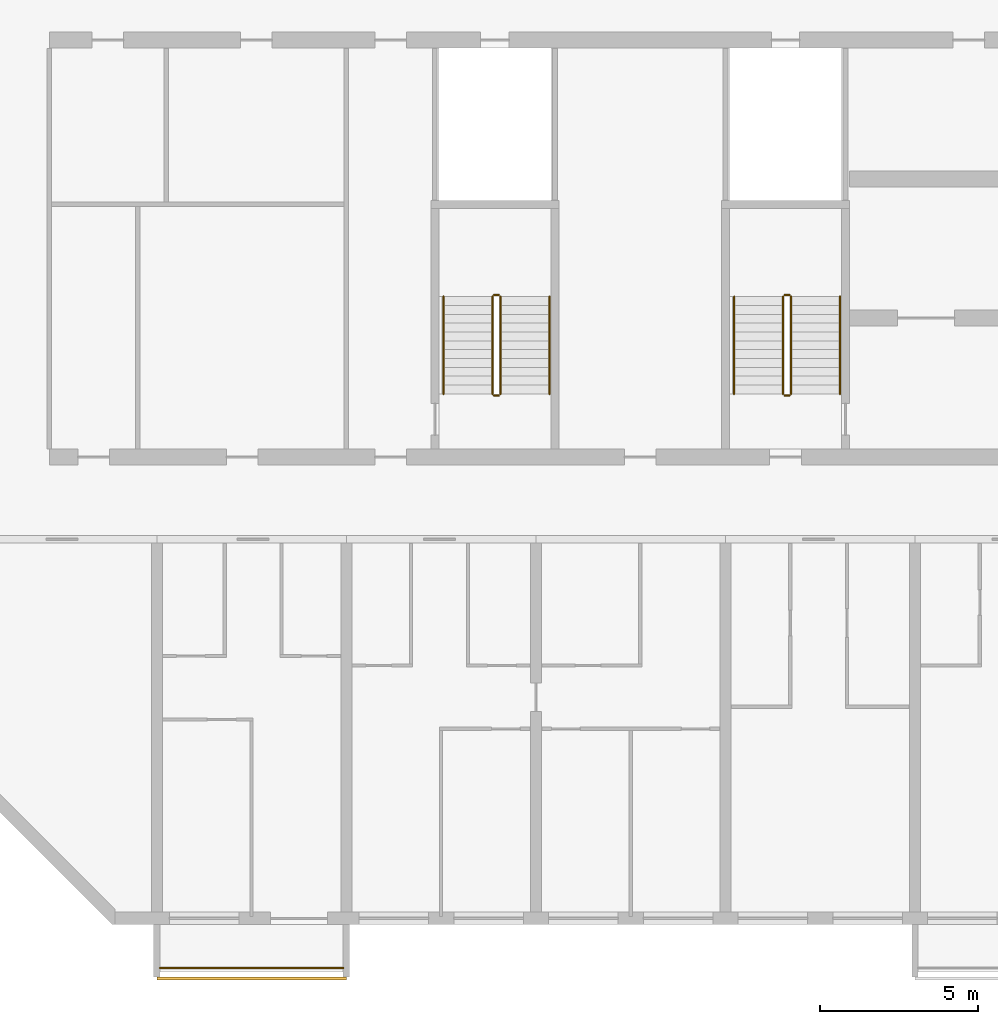
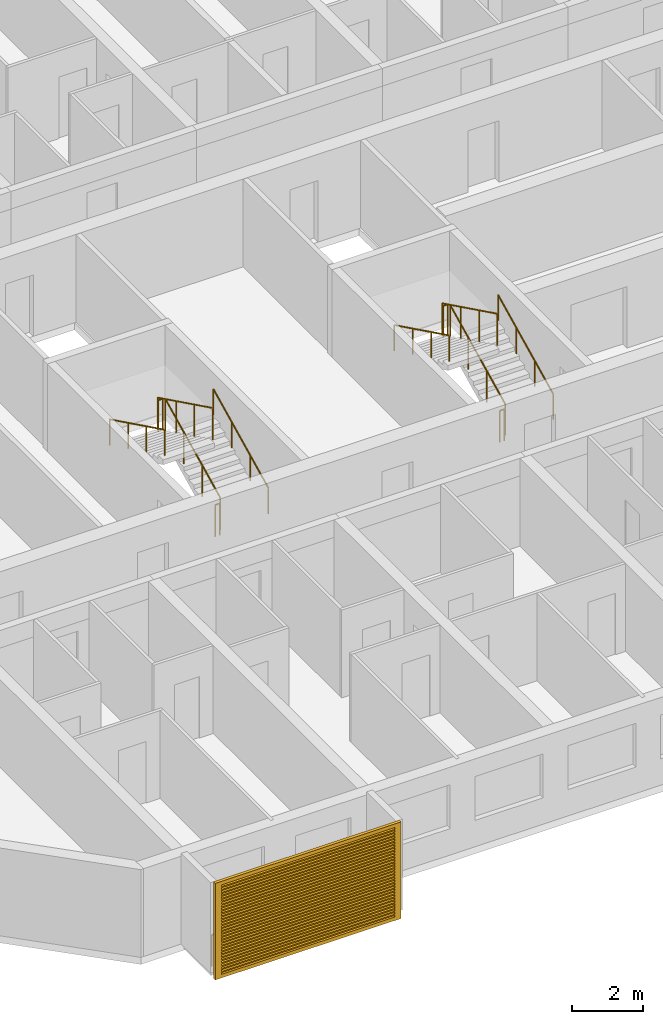
# One storey, part 16 of 24: 13 railings, 1 shading device.
"""IFC4 building model written with IfcOpenShell, lengths in metres."""

from ifc_helpers import new_model, si_unit, direction, frame, origin, origin_2d, place, context, subcontext, project, spatial, polyline, circle, outline, extrude, source, transform, mapped, material, material_profile, profile_set, type_object, element, save


model = new_model("IFC4")

# Units and contexts
model_context = context("Model", 3, precision=1e-05, world=origin(), true_north=direction((0.0, 1.0)))
body_context = subcontext(model_context, "Body", "Model", "MODEL_VIEW")
ifc_project = project(units=[si_unit("LENGTHUNIT", "METRE"), si_unit("AREAUNIT", "SQUARE_METRE"), si_unit("VOLUMEUNIT", "CUBIC_METRE"), si_unit("PLANEANGLEUNIT", "RADIAN"), si_unit("MASSUNIT", "GRAM", prefix="KILO")], contexts=[model_context])

# Site, building, storey
site_placement = place(None, origin())
site = spatial("IfcSite", under=ifc_project, at=site_placement, CompositionType="ELEMENT")
building_placement = place(site_placement, origin())
building = spatial("IfcBuilding", under=site, at=building_placement, Name="Poui Terraces", CompositionType="ELEMENT")
storey_placement = place(building_placement, frame((0.0, 0.0, 102.60009765625)))
storey = spatial("IfcBuildingStorey", under=building, at=storey_placement, Name="L28", CompositionType="ELEMENT", Elevation=102.60009765625)

# Railings
ifc_material_1 = material(Name="Painted steel fretwork", Category="steel")
railing_type_1 = type_object("IfcRailingType", Name="BALCONY GUARD 1100", PredefinedType="GUARDRAIL", material=ifc_material_1)
railing_1_placement = place(storey_placement, frame((12.10009765625, -1.570068359375, 0.0)))
element("IfcRailing", 1, at=railing_1_placement, inside=storey, type_object=railing_type_1, Name="BALCONY GUARD", PredefinedType="GUARDRAIL", context=body_context, shape_type="SweptSolid", body=[
    extrude(circle(Radius=0.02392578125, at=origin_2d()), frame((0.0, 0.0, 1.076171875), z_axis=(1.0, 0.0, 0.0), x_axis=(0.0, 1.0, 0.0)), (0.0, 0.0, 1.0), 5.7998046875),
    extrude(circle(Radius=0.02099609375, at=origin_2d()), origin(), (0.0, 0.0, 1.0), 1.052001953125),
    extrude(circle(Radius=0.02099609375, at=origin_2d()), frame((0.966552734375, 0.0, 0.0)), (0.0, 0.0, 1.0), 1.052001953125),
    extrude(circle(Radius=0.02099609375, at=origin_2d()), frame((1.933349609375, 0.0, 0.0)), (0.0, 0.0, 1.0), 1.052001953125),
    extrude(circle(Radius=0.02099609375, at=origin_2d()), frame((2.89990234375, 0.0, 0.0)), (0.0, 0.0, 1.0), 1.052001953125),
    extrude(circle(Radius=0.02099609375, at=origin_2d()), frame((3.866455078125, 0.0, 0.0)), (0.0, 0.0, 1.0), 1.052001953125),
    extrude(circle(Radius=0.02099609375, at=origin_2d()), frame((4.833251953125, 0.0, 0.0)), (0.0, 0.0, 1.0), 1.052001953125),
    extrude(circle(Radius=0.02099609375, at=origin_2d()), frame((5.7998046875, 0.0, 0.0)), (0.0, 0.0, 1.0), 1.052001953125),
])
ifc_material_2 = material(Name="Galvanised steel balustrade", Category="steel")
railing_type_2 = type_object("IfcRailingType", Name="STAIR GUARD 1100", PredefinedType="GUARDRAIL", material=ifc_material_2)
railing_2_placement = place(storey_placement, frame((32.074951171875, 16.60009765625, 0.137451171875)))
element("IfcRailing", 2, at=railing_2_placement, inside=storey, type_object=railing_type_2, Name="L28 ST-CW stair guard 1", PredefinedType="GUARDRAIL", context=body_context, shape_type="SweptSolid", body=[
    extrude(circle(Radius=0.02392578125, at=origin_2d()), frame((0.0, 0.0, 1.076171875), z_axis=(0.0, 0.897606190399, 0.440798283751), x_axis=(-1.0, 0.0, 0.0)), (0.0, 0.0, 1.0), 3.43115234375),
    extrude(circle(Radius=0.02099609375, at=origin_2d()), origin(), (0.0, 0.0, 1.0), 1.052001953125),
    extrude(circle(Radius=0.02099609375, at=origin_2d()), frame((0.0, 1.026611328125, 0.504150390625)), (0.0, 0.0, 1.0), 1.052001953125),
    extrude(circle(Radius=0.02099609375, at=origin_2d()), frame((0.0, 2.05322265625, 1.00830078125)), (0.0, 0.0, 1.0), 1.052001953125),
    extrude(circle(Radius=0.02099609375, at=origin_2d()), frame((0.0, 3.079833984375, 1.512451171875)), (0.0, 0.0, 1.0), 1.052001953125),
])
railing_3_placement = place(storey_placement, frame((32.02490234375, 19.72998046875, 1.64990234375)))
element("IfcRailing", 3, at=railing_3_placement, inside=storey, type_object=railing_type_2, Name="L28 ST-CW stair guard 2", PredefinedType="GUARDRAIL", context=body_context, shape_type="SweptSolid", body=[
    extrude(circle(Radius=0.02392578125, at=origin_2d()), frame((0.0, 0.0, 1.076171875), z_axis=(-1.0, 0.0, 0.0), x_axis=(0.0, -1.0, 0.0)), (0.0, 0.0, 1.0), 0.14990234375),
    extrude(circle(Radius=0.02099609375, at=origin_2d()), origin(), (0.0, 0.0, 1.0), 1.052001953125),
    extrude(circle(Radius=0.02099609375, at=origin_2d()), frame((-0.14990234375, 0.0, 0.0)), (0.0, 0.0, 1.0), 1.052001953125),
])
railing_4_placement = place(storey_placement, frame((31.824951171875, 19.679931640625, 1.787353515625)))
element("IfcRailing", 4, at=railing_4_placement, inside=storey, type_object=railing_type_2, Name="L28 ST-CW stair guard 3", PredefinedType="GUARDRAIL", context=body_context, shape_type="SweptSolid", body=[
    extrude(circle(Radius=0.02392578125, at=origin_2d()), frame((0.0, 0.0, 1.076171875), z_axis=(0.0, -0.897606190399, 0.440798283751), x_axis=(1.0, 0.0, 0.0)), (0.0, 0.0, 1.0), 3.43115234375),
    extrude(circle(Radius=0.02099609375, at=origin_2d()), origin(), (0.0, 0.0, 1.0), 1.052001953125),
    extrude(circle(Radius=0.02099609375, at=origin_2d()), frame((0.0, -1.026611328125, 0.504150390625)), (0.0, 0.0, 1.0), 1.052001953125),
    extrude(circle(Radius=0.02099609375, at=origin_2d()), frame((0.0, -2.05322265625, 1.00830078125)), (0.0, 0.0, 1.0), 1.052001953125),
    extrude(circle(Radius=0.02099609375, at=origin_2d()), frame((0.0, -3.079833984375, 1.512451171875)), (0.0, 0.0, 1.0), 1.052001953125),
])
railing_5_placement = place(storey_placement, frame((32.02490234375, 16.550048828125, 0.0)))
element("IfcRailing", 5, at=railing_5_placement, inside=storey, type_object=railing_type_2, Name="L28 ST-CW stair guard 4", PredefinedType="GUARDRAIL", context=body_context, shape_type="SweptSolid", body=[
    extrude(circle(Radius=0.02392578125, at=origin_2d()), frame((0.0, 0.0, 1.076171875), z_axis=(-1.0, 0.0, 0.0), x_axis=(0.0, -1.0, 0.0)), (0.0, 0.0, 1.0), 0.14990234375),
    extrude(circle(Radius=0.02099609375, at=origin_2d()), origin(), (0.0, 0.0, 1.0), 1.052001953125),
    extrude(circle(Radius=0.02099609375, at=origin_2d()), frame((-0.14990234375, 0.0, 0.0)), (0.0, 0.0, 1.0), 1.052001953125),
])
railing_6_placement = place(storey_placement, frame((22.875, 16.60009765625, 0.137451171875)))
element("IfcRailing", 6, at=railing_6_placement, inside=storey, type_object=railing_type_2, Name="L28 ST-W stair guard 1", PredefinedType="GUARDRAIL", context=body_context, shape_type="SweptSolid", body=[
    extrude(circle(Radius=0.02392578125, at=origin_2d()), frame((0.0, 0.0, 1.076171875), z_axis=(0.0, 0.897606190399, 0.440798283751), x_axis=(-1.0, 0.0, 0.0)), (0.0, 0.0, 1.0), 3.43115234375),
    extrude(circle(Radius=0.02099609375, at=origin_2d()), origin(), (0.0, 0.0, 1.0), 1.052001953125),
    extrude(circle(Radius=0.02099609375, at=origin_2d()), frame((0.0, 1.026611328125, 0.504150390625)), (0.0, 0.0, 1.0), 1.052001953125),
    extrude(circle(Radius=0.02099609375, at=origin_2d()), frame((0.0, 2.05322265625, 1.00830078125)), (0.0, 0.0, 1.0), 1.052001953125),
    extrude(circle(Radius=0.02099609375, at=origin_2d()), frame((0.0, 3.079833984375, 1.512451171875)), (0.0, 0.0, 1.0), 1.052001953125),
])
railing_7_placement = place(storey_placement, frame((22.824951171875, 19.72998046875, 1.64990234375)))
element("IfcRailing", 7, at=railing_7_placement, inside=storey, type_object=railing_type_2, Name="L28 ST-W stair guard 2", PredefinedType="GUARDRAIL", context=body_context, shape_type="SweptSolid", body=[
    extrude(circle(Radius=0.02392578125, at=origin_2d()), frame((0.0, 0.0, 1.076171875), z_axis=(-1.0, 0.0, 0.0), x_axis=(0.0, -1.0, 0.0)), (0.0, 0.0, 1.0), 0.14990234375),
    extrude(circle(Radius=0.02099609375, at=origin_2d()), origin(), (0.0, 0.0, 1.0), 1.052001953125),
    extrude(circle(Radius=0.02099609375, at=origin_2d()), frame((-0.14990234375, 0.0, 0.0)), (0.0, 0.0, 1.0), 1.052001953125),
])
railing_8_placement = place(storey_placement, frame((22.625, 19.679931640625, 1.787353515625)))
element("IfcRailing", 8, at=railing_8_placement, inside=storey, type_object=railing_type_2, Name="L28 ST-W stair guard 3", PredefinedType="GUARDRAIL", context=body_context, shape_type="SweptSolid", body=[
    extrude(circle(Radius=0.02392578125, at=origin_2d()), frame((0.0, 0.0, 1.076171875), z_axis=(0.0, -0.897606190399, 0.440798283751), x_axis=(1.0, 0.0, 0.0)), (0.0, 0.0, 1.0), 3.43115234375),
    extrude(circle(Radius=0.02099609375, at=origin_2d()), origin(), (0.0, 0.0, 1.0), 1.052001953125),
    extrude(circle(Radius=0.02099609375, at=origin_2d()), frame((0.0, -1.026611328125, 0.504150390625)), (0.0, 0.0, 1.0), 1.052001953125),
    extrude(circle(Radius=0.02099609375, at=origin_2d()), frame((0.0, -2.05322265625, 1.00830078125)), (0.0, 0.0, 1.0), 1.052001953125),
    extrude(circle(Radius=0.02099609375, at=origin_2d()), frame((0.0, -3.079833984375, 1.512451171875)), (0.0, 0.0, 1.0), 1.052001953125),
])
railing_9_placement = place(storey_placement, frame((22.824951171875, 16.550048828125, 0.0)))
element("IfcRailing", 9, at=railing_9_placement, inside=storey, type_object=railing_type_2, Name="L28 ST-W stair guard 4", PredefinedType="GUARDRAIL", context=body_context, shape_type="SweptSolid", body=[
    extrude(circle(Radius=0.02392578125, at=origin_2d()), frame((0.0, 0.0, 1.076171875), z_axis=(-1.0, 0.0, 0.0), x_axis=(0.0, -1.0, 0.0)), (0.0, 0.0, 1.0), 0.14990234375),
    extrude(circle(Radius=0.02099609375, at=origin_2d()), origin(), (0.0, 0.0, 1.0), 1.052001953125),
    extrude(circle(Radius=0.02099609375, at=origin_2d()), frame((-0.14990234375, 0.0, 0.0)), (0.0, 0.0, 1.0), 1.052001953125),
])
ifc_material_3 = material(Name="Stainless steel handrail", Category="steel")
railing_type_3 = type_object("IfcRailingType", Name="STAIR HANDRAIL 900", PredefinedType="HANDRAIL", material=ifc_material_3)
railing_10_placement = place(storey_placement, frame((33.625, 16.60009765625, 0.137451171875)))
element("IfcRailing", 10, at=railing_10_placement, inside=storey, type_object=railing_type_3, Name="L28 ST-CW stair handrail 1", PredefinedType="HANDRAIL", context=body_context, shape_type="SweptSolid", body=[
    extrude(circle(Radius=0.02392578125, at=origin_2d()), frame((0.0, 0.0, 0.8759765625), z_axis=(0.0, 0.897606190399, 0.440798283751), x_axis=(-1.0, 0.0, 0.0)), (0.0, 0.0, 1.0), 3.43115234375),
    extrude(circle(Radius=0.02099609375, at=origin_2d()), origin(), (0.0, 0.0, 1.0), 0.851806640625),
    extrude(circle(Radius=0.02099609375, at=origin_2d()), frame((0.0, 1.026611328125, 0.504150390625)), (0.0, 0.0, 1.0), 0.851806640625),
    extrude(circle(Radius=0.02099609375, at=origin_2d()), frame((0.0, 2.05322265625, 1.00830078125)), (0.0, 0.0, 1.0), 0.851806640625),
    extrude(circle(Radius=0.02099609375, at=origin_2d()), frame((0.0, 3.079833984375, 1.512451171875)), (0.0, 0.0, 1.0), 0.851806640625),
])
railing_11_placement = place(storey_placement, frame((30.27490234375, 19.679931640625, 1.787353515625)))
element("IfcRailing", 11, at=railing_11_placement, inside=storey, type_object=railing_type_3, Name="L28 ST-CW stair handrail 2", PredefinedType="HANDRAIL", context=body_context, shape_type="SweptSolid", body=[
    extrude(circle(Radius=0.02392578125, at=origin_2d()), frame((0.0, 0.0, 0.8759765625), z_axis=(0.0, -0.897606190399, 0.440798283751), x_axis=(1.0, 0.0, 0.0)), (0.0, 0.0, 1.0), 3.43115234375),
    extrude(circle(Radius=0.02099609375, at=origin_2d()), origin(), (0.0, 0.0, 1.0), 0.851806640625),
    extrude(circle(Radius=0.02099609375, at=origin_2d()), frame((0.0, -1.026611328125, 0.504150390625)), (0.0, 0.0, 1.0), 0.851806640625),
    extrude(circle(Radius=0.02099609375, at=origin_2d()), frame((0.0, -2.05322265625, 1.00830078125)), (0.0, 0.0, 1.0), 0.851806640625),
    extrude(circle(Radius=0.02099609375, at=origin_2d()), frame((0.0, -3.079833984375, 1.512451171875)), (0.0, 0.0, 1.0), 0.851806640625),
])
railing_12_placement = place(storey_placement, frame((24.425048828125, 16.60009765625, 0.137451171875)))
element("IfcRailing", 12, at=railing_12_placement, inside=storey, type_object=railing_type_3, Name="L28 ST-W stair handrail 1", PredefinedType="HANDRAIL", context=body_context, shape_type="SweptSolid", body=[
    extrude(circle(Radius=0.02392578125, at=origin_2d()), frame((0.0, 0.0, 0.8759765625), z_axis=(0.0, 0.897606190399, 0.440798283751), x_axis=(-1.0, 0.0, 0.0)), (0.0, 0.0, 1.0), 3.43115234375),
    extrude(circle(Radius=0.02099609375, at=origin_2d()), origin(), (0.0, 0.0, 1.0), 0.851806640625),
    extrude(circle(Radius=0.02099609375, at=origin_2d()), frame((0.0, 1.026611328125, 0.504150390625)), (0.0, 0.0, 1.0), 0.851806640625),
    extrude(circle(Radius=0.02099609375, at=origin_2d()), frame((0.0, 2.05322265625, 1.00830078125)), (0.0, 0.0, 1.0), 0.851806640625),
    extrude(circle(Radius=0.02099609375, at=origin_2d()), frame((0.0, 3.079833984375, 1.512451171875)), (0.0, 0.0, 1.0), 0.851806640625),
])
railing_13_placement = place(storey_placement, frame((21.074951171875, 19.679931640625, 1.787353515625)))
element("IfcRailing", 13, at=railing_13_placement, inside=storey, type_object=railing_type_3, Name="L28 ST-W stair handrail 2", PredefinedType="HANDRAIL", context=body_context, shape_type="SweptSolid", body=[
    extrude(circle(Radius=0.02392578125, at=origin_2d()), frame((0.0, 0.0, 0.8759765625), z_axis=(0.0, -0.897606190399, 0.440798283751), x_axis=(1.0, 0.0, 0.0)), (0.0, 0.0, 1.0), 3.43115234375),
    extrude(circle(Radius=0.02099609375, at=origin_2d()), origin(), (0.0, 0.0, 1.0), 0.851806640625),
    extrude(circle(Radius=0.02099609375, at=origin_2d()), frame((0.0, -1.026611328125, 0.504150390625)), (0.0, 0.0, 1.0), 0.851806640625),
    extrude(circle(Radius=0.02099609375, at=origin_2d()), frame((0.0, -2.05322265625, 1.00830078125)), (0.0, 0.0, 1.0), 0.851806640625),
    extrude(circle(Radius=0.02099609375, at=origin_2d()), frame((0.0, -3.079833984375, 1.512451171875)), (0.0, 0.0, 1.0), 0.851806640625),
])

# Shading device
ifc_material_4 = material(Name="Aluminium louvre", Category="aluminium")
ifc_material_profile = material_profile(ifc_material_4, outline(polyline([(-3.0, -1.64990234375), (3.0, -1.64990234375), (3.0, 1.64990234375), (-3.0, 1.64990234375), (-3.0, -1.64990234375)]), holes=[polyline([(-2.800048828125, -1.530029296875), (2.800048828125, -1.530029296875), (2.800048828125, -1.469970703125), (-2.800048828125, -1.469970703125), (-2.800048828125, -1.530029296875)]), polyline([(-2.800048828125, -1.429931640625), (2.800048828125, -1.429931640625), (2.800048828125, -1.3701171875), (-2.800048828125, -1.3701171875), (-2.800048828125, -1.429931640625)]), polyline([(-2.800048828125, -1.330078125), (2.800048828125, -1.330078125), (2.800048828125, -1.27001953125), (-2.800048828125, -1.27001953125), (-2.800048828125, -1.330078125)]), polyline([(-2.800048828125, -1.22998046875), (2.800048828125, -1.22998046875), (2.800048828125, -1.169921875), (-2.800048828125, -1.169921875), (-2.800048828125, -1.22998046875)]), polyline([(-2.800048828125, -1.1298828125), (2.800048828125, -1.1298828125), (2.800048828125, -1.070068359375), (-2.800048828125, -1.070068359375), (-2.800048828125, -1.1298828125)]), polyline([(-2.800048828125, -1.030029296875), (2.800048828125, -1.030029296875), (2.800048828125, -0.969970703125), (-2.800048828125, -0.969970703125), (-2.800048828125, -1.030029296875)]), polyline([(-2.800048828125, -0.929931640625), (2.800048828125, -0.929931640625), (2.800048828125, -0.8701171875), (-2.800048828125, -0.8701171875), (-2.800048828125, -0.929931640625)]), polyline([(-2.800048828125, -0.830078125), (2.800048828125, -0.830078125), (2.800048828125, -0.77001953125), (-2.800048828125, -0.77001953125), (-2.800048828125, -0.830078125)]), polyline([(-2.800048828125, -0.72998046875), (2.800048828125, -0.72998046875), (2.800048828125, -0.669921875), (-2.800048828125, -0.669921875), (-2.800048828125, -0.72998046875)]), polyline([(-2.800048828125, -0.6298828125), (2.800048828125, -0.6298828125), (2.800048828125, -0.570068359375), (-2.800048828125, -0.570068359375), (-2.800048828125, -0.6298828125)]), polyline([(-2.800048828125, -0.530029296875), (2.800048828125, -0.530029296875), (2.800048828125, -0.469970703125), (-2.800048828125, -0.469970703125), (-2.800048828125, -0.530029296875)]), polyline([(-2.800048828125, -0.429931640625), (2.800048828125, -0.429931640625), (2.800048828125, -0.3701171875), (-2.800048828125, -0.3701171875), (-2.800048828125, -0.429931640625)]), polyline([(-2.800048828125, -0.330078125), (2.800048828125, -0.330078125), (2.800048828125, -0.27001953125), (-2.800048828125, -0.27001953125), (-2.800048828125, -0.330078125)]), polyline([(-2.800048828125, -0.22998046875), (2.800048828125, -0.22998046875), (2.800048828125, -0.169921875), (-2.800048828125, -0.169921875), (-2.800048828125, -0.22998046875)]), polyline([(-2.800048828125, -0.1298828125), (2.800048828125, -0.1298828125), (2.800048828125, -0.070068359375), (-2.800048828125, -0.070068359375), (-2.800048828125, -0.1298828125)]), polyline([(-2.800048828125, -0.030029296875), (2.800048828125, -0.030029296875), (2.800048828125, 0.030029296875), (-2.800048828125, 0.030029296875), (-2.800048828125, -0.030029296875)]), polyline([(-2.800048828125, 0.070068359375), (2.800048828125, 0.070068359375), (2.800048828125, 0.1298828125), (-2.800048828125, 0.1298828125), (-2.800048828125, 0.070068359375)]), polyline([(-2.800048828125, 0.169921875), (2.800048828125, 0.169921875), (2.800048828125, 0.22998046875), (-2.800048828125, 0.22998046875), (-2.800048828125, 0.169921875)]), polyline([(-2.800048828125, 0.27001953125), (2.800048828125, 0.27001953125), (2.800048828125, 0.330078125), (-2.800048828125, 0.330078125), (-2.800048828125, 0.27001953125)]), polyline([(-2.800048828125, 0.3701171875), (2.800048828125, 0.3701171875), (2.800048828125, 0.429931640625), (-2.800048828125, 0.429931640625), (-2.800048828125, 0.3701171875)]), polyline([(-2.800048828125, 0.469970703125), (2.800048828125, 0.469970703125), (2.800048828125, 0.530029296875), (-2.800048828125, 0.530029296875), (-2.800048828125, 0.469970703125)]), polyline([(-2.800048828125, 0.570068359375), (2.800048828125, 0.570068359375), (2.800048828125, 0.6298828125), (-2.800048828125, 0.6298828125), (-2.800048828125, 0.570068359375)]), polyline([(-2.800048828125, 0.669921875), (2.800048828125, 0.669921875), (2.800048828125, 0.72998046875), (-2.800048828125, 0.72998046875), (-2.800048828125, 0.669921875)]), polyline([(-2.800048828125, 0.77001953125), (2.800048828125, 0.77001953125), (2.800048828125, 0.830078125), (-2.800048828125, 0.830078125), (-2.800048828125, 0.77001953125)]), polyline([(-2.800048828125, 0.8701171875), (2.800048828125, 0.8701171875), (2.800048828125, 0.929931640625), (-2.800048828125, 0.929931640625), (-2.800048828125, 0.8701171875)]), polyline([(-2.800048828125, 0.969970703125), (2.800048828125, 0.969970703125), (2.800048828125, 1.030029296875), (-2.800048828125, 1.030029296875), (-2.800048828125, 0.969970703125)]), polyline([(-2.800048828125, 1.070068359375), (2.800048828125, 1.070068359375), (2.800048828125, 1.1298828125), (-2.800048828125, 1.1298828125), (-2.800048828125, 1.070068359375)]), polyline([(-2.800048828125, 1.169921875), (2.800048828125, 1.169921875), (2.800048828125, 1.22998046875), (-2.800048828125, 1.22998046875), (-2.800048828125, 1.169921875)]), polyline([(-2.800048828125, 1.27001953125), (2.800048828125, 1.27001953125), (2.800048828125, 1.330078125), (-2.800048828125, 1.330078125), (-2.800048828125, 1.27001953125)]), polyline([(-2.800048828125, 1.3701171875), (2.800048828125, 1.3701171875), (2.800048828125, 1.429931640625), (-2.800048828125, 1.429931640625), (-2.800048828125, 1.3701171875)]), polyline([(-2.800048828125, 1.469970703125), (2.800048828125, 1.469970703125), (2.800048828125, 1.530029296875), (-2.800048828125, 1.530029296875), (-2.800048828125, 1.469970703125)])]), Name="JALOUSIE LOUVRE SHUTTER 6000X3300")
ifc_profile_set = profile_set([ifc_material_profile], Name="Aluminium louvre")
shading_device_type = type_object("IfcShadingDeviceType", Name="JALOUSIE LOUVRE SHUTTER 6000X3300", PredefinedType="JALOUSIE", material=ifc_profile_set)
shared_shape = source(origin(), body_context, "Body", "SweptSolid", [
    extrude(outline(polyline([(-3.0, -1.64990234375), (3.0, -1.64990234375), (3.0, 1.64990234375), (-3.0, 1.64990234375), (-3.0, -1.64990234375)]), holes=[polyline([(-2.800048828125, -1.530029296875), (2.800048828125, -1.530029296875), (2.800048828125, -1.469970703125), (-2.800048828125, -1.469970703125), (-2.800048828125, -1.530029296875)]), polyline([(-2.800048828125, -1.429931640625), (2.800048828125, -1.429931640625), (2.800048828125, -1.3701171875), (-2.800048828125, -1.3701171875), (-2.800048828125, -1.429931640625)]), polyline([(-2.800048828125, -1.330078125), (2.800048828125, -1.330078125), (2.800048828125, -1.27001953125), (-2.800048828125, -1.27001953125), (-2.800048828125, -1.330078125)]), polyline([(-2.800048828125, -1.22998046875), (2.800048828125, -1.22998046875), (2.800048828125, -1.169921875), (-2.800048828125, -1.169921875), (-2.800048828125, -1.22998046875)]), polyline([(-2.800048828125, -1.1298828125), (2.800048828125, -1.1298828125), (2.800048828125, -1.070068359375), (-2.800048828125, -1.070068359375), (-2.800048828125, -1.1298828125)]), polyline([(-2.800048828125, -1.030029296875), (2.800048828125, -1.030029296875), (2.800048828125, -0.969970703125), (-2.800048828125, -0.969970703125), (-2.800048828125, -1.030029296875)]), polyline([(-2.800048828125, -0.929931640625), (2.800048828125, -0.929931640625), (2.800048828125, -0.8701171875), (-2.800048828125, -0.8701171875), (-2.800048828125, -0.929931640625)]), polyline([(-2.800048828125, -0.830078125), (2.800048828125, -0.830078125), (2.800048828125, -0.77001953125), (-2.800048828125, -0.77001953125), (-2.800048828125, -0.830078125)]), polyline([(-2.800048828125, -0.72998046875), (2.800048828125, -0.72998046875), (2.800048828125, -0.669921875), (-2.800048828125, -0.669921875), (-2.800048828125, -0.72998046875)]), polyline([(-2.800048828125, -0.6298828125), (2.800048828125, -0.6298828125), (2.800048828125, -0.570068359375), (-2.800048828125, -0.570068359375), (-2.800048828125, -0.6298828125)]), polyline([(-2.800048828125, -0.530029296875), (2.800048828125, -0.530029296875), (2.800048828125, -0.469970703125), (-2.800048828125, -0.469970703125), (-2.800048828125, -0.530029296875)]), polyline([(-2.800048828125, -0.429931640625), (2.800048828125, -0.429931640625), (2.800048828125, -0.3701171875), (-2.800048828125, -0.3701171875), (-2.800048828125, -0.429931640625)]), polyline([(-2.800048828125, -0.330078125), (2.800048828125, -0.330078125), (2.800048828125, -0.27001953125), (-2.800048828125, -0.27001953125), (-2.800048828125, -0.330078125)]), polyline([(-2.800048828125, -0.22998046875), (2.800048828125, -0.22998046875), (2.800048828125, -0.169921875), (-2.800048828125, -0.169921875), (-2.800048828125, -0.22998046875)]), polyline([(-2.800048828125, -0.1298828125), (2.800048828125, -0.1298828125), (2.800048828125, -0.070068359375), (-2.800048828125, -0.070068359375), (-2.800048828125, -0.1298828125)]), polyline([(-2.800048828125, -0.030029296875), (2.800048828125, -0.030029296875), (2.800048828125, 0.030029296875), (-2.800048828125, 0.030029296875), (-2.800048828125, -0.030029296875)]), polyline([(-2.800048828125, 0.070068359375), (2.800048828125, 0.070068359375), (2.800048828125, 0.1298828125), (-2.800048828125, 0.1298828125), (-2.800048828125, 0.070068359375)]), polyline([(-2.800048828125, 0.169921875), (2.800048828125, 0.169921875), (2.800048828125, 0.22998046875), (-2.800048828125, 0.22998046875), (-2.800048828125, 0.169921875)]), polyline([(-2.800048828125, 0.27001953125), (2.800048828125, 0.27001953125), (2.800048828125, 0.330078125), (-2.800048828125, 0.330078125), (-2.800048828125, 0.27001953125)]), polyline([(-2.800048828125, 0.3701171875), (2.800048828125, 0.3701171875), (2.800048828125, 0.429931640625), (-2.800048828125, 0.429931640625), (-2.800048828125, 0.3701171875)]), polyline([(-2.800048828125, 0.469970703125), (2.800048828125, 0.469970703125), (2.800048828125, 0.530029296875), (-2.800048828125, 0.530029296875), (-2.800048828125, 0.469970703125)]), polyline([(-2.800048828125, 0.570068359375), (2.800048828125, 0.570068359375), (2.800048828125, 0.6298828125), (-2.800048828125, 0.6298828125), (-2.800048828125, 0.570068359375)]), polyline([(-2.800048828125, 0.669921875), (2.800048828125, 0.669921875), (2.800048828125, 0.72998046875), (-2.800048828125, 0.72998046875), (-2.800048828125, 0.669921875)]), polyline([(-2.800048828125, 0.77001953125), (2.800048828125, 0.77001953125), (2.800048828125, 0.830078125), (-2.800048828125, 0.830078125), (-2.800048828125, 0.77001953125)]), polyline([(-2.800048828125, 0.8701171875), (2.800048828125, 0.8701171875), (2.800048828125, 0.929931640625), (-2.800048828125, 0.929931640625), (-2.800048828125, 0.8701171875)]), polyline([(-2.800048828125, 0.969970703125), (2.800048828125, 0.969970703125), (2.800048828125, 1.030029296875), (-2.800048828125, 1.030029296875), (-2.800048828125, 0.969970703125)]), polyline([(-2.800048828125, 1.070068359375), (2.800048828125, 1.070068359375), (2.800048828125, 1.1298828125), (-2.800048828125, 1.1298828125), (-2.800048828125, 1.070068359375)]), polyline([(-2.800048828125, 1.169921875), (2.800048828125, 1.169921875), (2.800048828125, 1.22998046875), (-2.800048828125, 1.22998046875), (-2.800048828125, 1.169921875)]), polyline([(-2.800048828125, 1.27001953125), (2.800048828125, 1.27001953125), (2.800048828125, 1.330078125), (-2.800048828125, 1.330078125), (-2.800048828125, 1.27001953125)]), polyline([(-2.800048828125, 1.3701171875), (2.800048828125, 1.3701171875), (2.800048828125, 1.429931640625), (-2.800048828125, 1.429931640625), (-2.800048828125, 1.3701171875)]), polyline([(-2.800048828125, 1.469970703125), (2.800048828125, 1.469970703125), (2.800048828125, 1.530029296875), (-2.800048828125, 1.530029296875), (-2.800048828125, 1.469970703125)])]), origin(), (0.0, 0.0, 1.0), 0.099853515625),
])
shading_device_placement = place(storey_placement, frame((15.0, -1.85009765625, 1.449951171875), z_axis=(0.0, -1.0, 0.0), x_axis=(1.0, 0.0, 0.0)))
element("IfcShadingDevice", 14, at=shading_device_placement, inside=storey, type_object=shading_device_type, Name="JALOUSIE LOUVRE SHUTTER", PredefinedType="JALOUSIE", context=body_context, shape_type="MappedRepresentation", body=[
    mapped(shared_shape, transform((0.0, 0.0, 0.0))),
])

save(model, "model.ifc")
